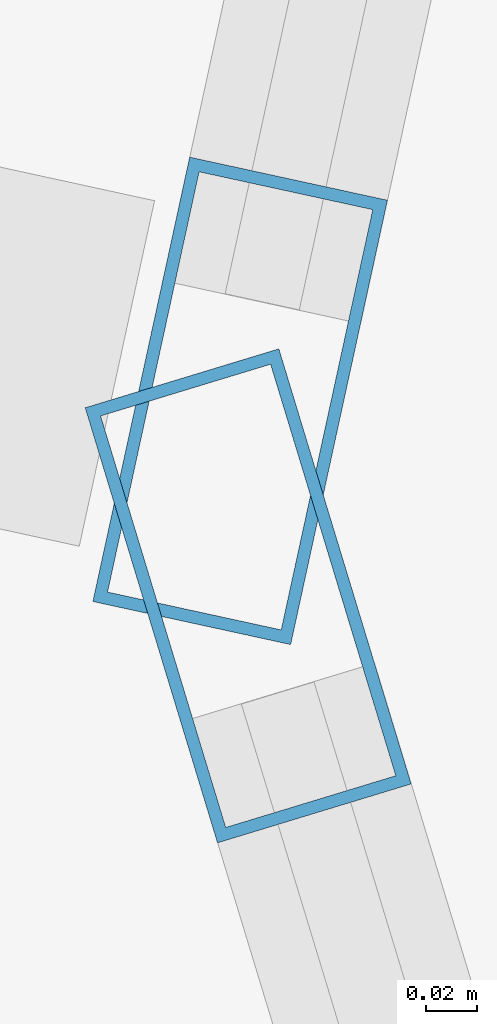
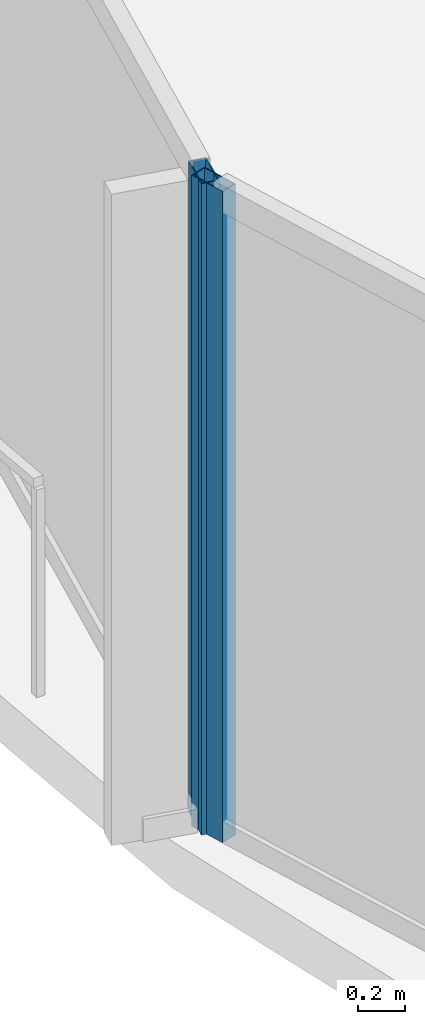
# One storey, part 8 of 34: 2 members, 2 elements without a shape of their own.
"""IFC4 building model written with IfcOpenShell, lengths in metres."""

from ifc_helpers import new_model, si_unit, direction, frame, origin, origin_2d, place, context, subcontext, project, spatial, hollow_rectangle, extrude, material, layer, layer_set, material_profile, profile_set, type_object, element, aggregate, save


model = new_model("IFC4")

# Units and contexts
model_context = context("Model", 3, precision=1e-05, world=origin(), true_north=direction((0.0, 1.0)))
body_context = subcontext(model_context, "Body", "Model", "MODEL_VIEW")
ifc_project = project(units=[si_unit("LENGTHUNIT", "METRE"), si_unit("AREAUNIT", "SQUARE_METRE"), si_unit("VOLUMEUNIT", "CUBIC_METRE"), si_unit("PLANEANGLEUNIT", "RADIAN"), si_unit("MASSUNIT", "GRAM", prefix="KILO")], contexts=[model_context])

# Site, building, storey
site_placement = place(None, origin())
site = spatial("IfcSite", under=ifc_project, at=site_placement, CompositionType="ELEMENT")
building_placement = place(site_placement, origin())
building = spatial("IfcBuilding", under=site, at=building_placement, Name="Kazevale Care Tower and Concert Hall", CompositionType="ELEMENT")
storey_placement = place(building_placement, frame((0.0, 0.0, 163.800048828125)))
storey = spatial("IfcBuildingStorey", under=building, at=storey_placement, Name="L43", CompositionType="ELEMENT", Elevation=163.800048828125)

# Curtain wall, member
ifc_material_1 = material(Name="Aluminium 6063-T6 and Low-E Glass", Category="aluminium")
ifc_layer = layer(ifc_material_1, 0.179931640625)
ifc_layer_set = layer_set([ifc_layer], Name="Aluminium 6063-T6 and Low-E Glass")
curtain_wall_type = type_object("IfcCurtainWallType", Name="Waist & Upper Residential Curtain Wall CW-4", PredefinedType="NOTDEFINED", material=ifc_layer_set)
curtain_wall_1_placement = place(storey_placement, origin())
curtain_wall_1 = element("IfcCurtainWall", 1, at=curtain_wall_1_placement, inside=storey, type_object=curtain_wall_type, Name="cw:L43:f12", PredefinedType="NOTDEFINED")
ifc_material_2 = material(Name="Aluminium 6063-T6", Category="aluminium")
ifc_material_profile = material_profile(ifc_material_2, hollow_rectangle(XDim=0.080078125, YDim=0.179931640625, WallThickness=0.0048828125, at=origin_2d()), Name="ALU80x180x5")
ifc_profile_set = profile_set([ifc_material_profile], Name="Aluminium 6063-T6")
member_type = type_object("IfcMemberType", Name="CW-4 Mullion ALU80x180x5", PredefinedType="MULLION", material=ifc_profile_set)
member_1_placement = place(storey_placement, frame((11.006591796875, 34.98583984375, 0.0), z_axis=(0.0, 0.0, 1.0), x_axis=(-0.956729897234, -0.290977496961, 0.0)))
member_1 = element("IfcMember", 2, at=member_1_placement, type_object=member_type, Name="CW-4 mullion 2", PredefinedType="MULLION", context=body_context, shape_type="SweptSolid", body=[
    extrude(hollow_rectangle(XDim=0.080078125, YDim=0.179931640625, WallThickness=0.0048828125, at=origin_2d()), origin(), (0.0, 0.0, 1.0), 3.35986328125),
])
aggregate(curtain_wall_1, [member_1])

curtain_wall_2_placement = place(storey_placement, origin())
curtain_wall_2 = element("IfcCurtainWall", 3, at=curtain_wall_2_placement, inside=storey, type_object=curtain_wall_type, Name="cw:L43:f13", PredefinedType="NOTDEFINED")
member_2_placement = place(storey_placement, frame((11.00341796875, 35.06298828125, 0.0), z_axis=(0.0, 0.0, 1.0), x_axis=(-0.977090755849, 0.21282305992, 0.0)))
member_2 = element("IfcMember", 4, at=member_2_placement, type_object=member_type, Name="CW-4 mullion 1", PredefinedType="MULLION", context=body_context, shape_type="SweptSolid", body=[
    extrude(hollow_rectangle(XDim=0.080078125, YDim=0.179931640625, WallThickness=0.0048828125, at=origin_2d()), origin(), (0.0, 0.0, 1.0), 3.35986328125),
])
aggregate(curtain_wall_2, [member_2])

save(model, "model.ifc")
